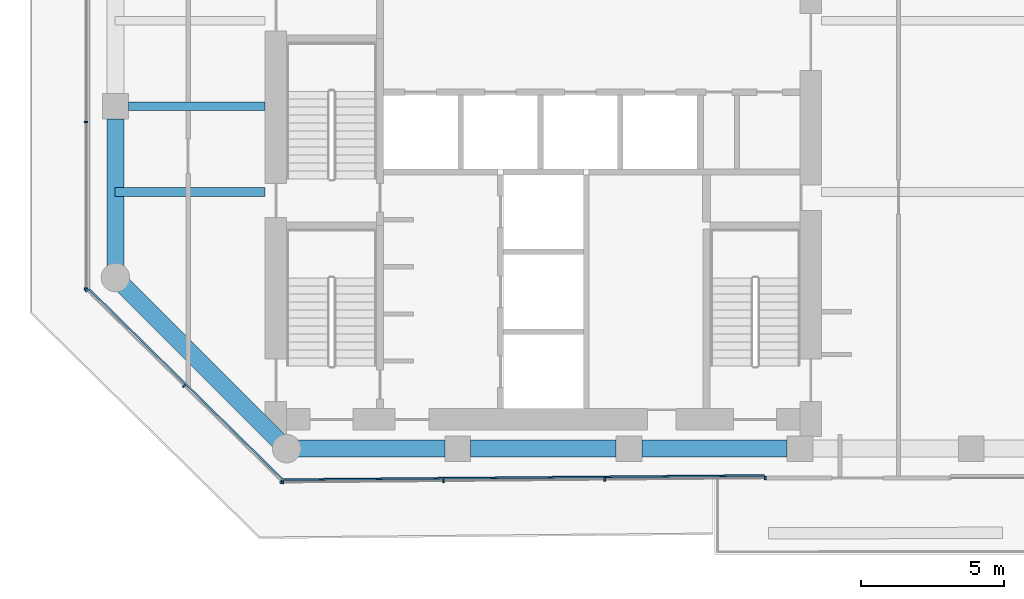
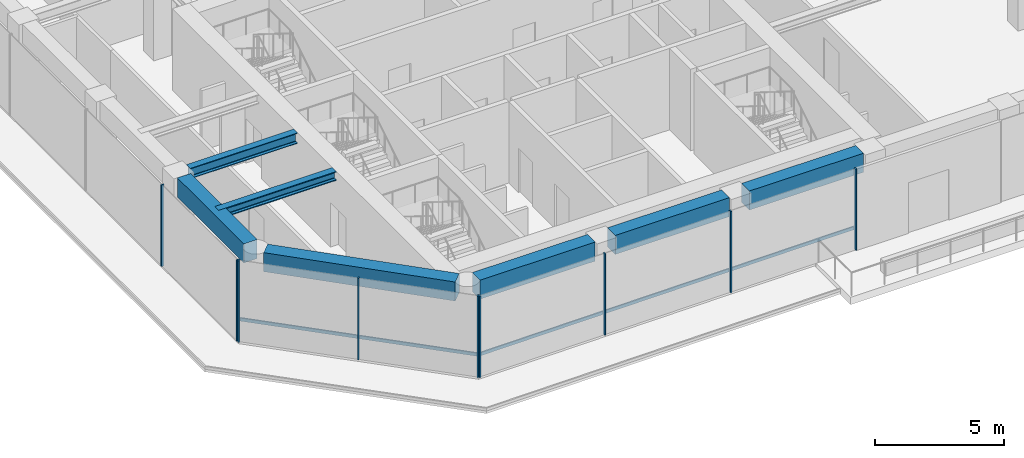
# One storey, part 2 of 21: 11 members, 7 beams, 3 elements without a shape of their own.
"""IFC4 building model written with IfcOpenShell, lengths in metres."""

from ifc_helpers import new_model, si_unit, direction, frame, origin, origin_2d, place, context, subcontext, project, spatial, rectangle, i_section, extrude, material, layer, layer_set, material_profile, profile_set, type_object, element, aggregate, save


model = new_model("IFC4")

# Units and contexts
model_context = context("Model", 3, precision=1e-05, world=origin(), true_north=direction((0.0, 1.0)))
body_context = subcontext(model_context, "Body", "Model", "MODEL_VIEW")
ifc_project = project(units=[si_unit("LENGTHUNIT", "METRE"), si_unit("AREAUNIT", "SQUARE_METRE"), si_unit("VOLUMEUNIT", "CUBIC_METRE"), si_unit("PLANEANGLEUNIT", "RADIAN"), si_unit("MASSUNIT", "GRAM", prefix="KILO")], contexts=[model_context])

# Site, building, storey
site_placement = place(None, origin())
site = spatial("IfcSite", under=ifc_project, at=site_placement, CompositionType="ELEMENT")
building_placement = place(site_placement, origin())
building = spatial("IfcBuilding", under=site, at=building_placement, Name="Welwitschia Terrace Campus", CompositionType="ELEMENT")
storey_placement = place(building_placement, frame((0.0, 0.0, 108.800048828125)))
storey = spatial("IfcBuildingStorey", under=building, at=storey_placement, Name="L24", CompositionType="ELEMENT", Elevation=108.800048828125)

# Beam
ifc_material_1 = material(Name="Steel S355", Category="steel")
ifc_material_profile_1 = material_profile(ifc_material_1, i_section(OverallWidth=0.306884765625, OverallDepth=0.431884765625, WebThickness=0.02099609375, FlangeThickness=0.0400390625, FilletRadius=0.027099609375, at=origin_2d()))
ifc_profile_set_1 = profile_set([ifc_material_profile_1], Name="Steel S355")
beam_type_1 = type_object("IfcBeamType", Name="Interior girder HE 400 M", PredefinedType="BEAM", material=ifc_profile_set_1)
beam_1_placement = place(storey_placement, frame((-0.010009765625, 13.0, 3.634033203125), z_axis=(1.0, 0.0, 0.0), x_axis=(0.0, 1.0, 0.0)))
element("IfcBeam", 1, at=beam_1_placement, inside=storey, type_object=beam_type_1, Name="Girder GB3", PredefinedType="BEAM", context=body_context, shape_type="SweptSolid", body=[
    extrude(i_section(OverallWidth=0.306884765625, OverallDepth=0.431884765625, WebThickness=0.02099609375, FlangeThickness=0.0400390625, FilletRadius=0.027099609375, at=origin_2d()), origin(), (0.0, 0.0, 1.0), 5.259033203125),
])

# Curtain wall, members
ifc_material_2 = material(Name="Bronze anodised aluminium", Category="aluminium")
ifc_layer = layer(ifc_material_2, 0.1201171875)
ifc_layer_set = layer_set([ifc_layer], Name="Bronze anodised aluminium")
curtain_wall_type = type_object("IfcCurtainWallType", Name="Curtain wall CW2 tower 6000", PredefinedType="NOTDEFINED", material=ifc_layer_set)
curtain_wall_1_placement = place(storey_placement, origin())
curtain_wall_1 = element("IfcCurtainWall", 2, at=curtain_wall_1_placement, inside=storey, type_object=curtain_wall_type, Name="CW L24.1.0", PredefinedType="NOTDEFINED")
ifc_material_3 = material(Name="Bronze anodised aluminium", Category="aluminium")
ifc_material_profile_2 = material_profile(ifc_material_3, rectangle(XDim=0.1201171875, YDim=0.06005859375, at=origin_2d()))
ifc_profile_set_2 = profile_set([ifc_material_profile_2], Name="Bronze anodised aluminium")
member_type_1 = type_object("IfcMemberType", Name="Mullion 60x120", PredefinedType="MULLION", material=ifc_profile_set_2)
member_1_placement = place(storey_placement, frame((-1.030029296875, 15.448974609375, 0.0), z_axis=(0.0, 0.0, 1.0), x_axis=(1.0, 0.0, 0.0)))
member_1 = element("IfcMember", 3, at=member_1_placement, type_object=member_type_1, Name="Mullion L24.1.0.3", PredefinedType="MULLION", context=body_context, shape_type="SweptSolid", body=[
    extrude(rectangle(XDim=0.1201171875, YDim=0.06005859375, at=origin_2d()), origin(), (0.0, 0.0, 1.0), 3.849853515625),
])
member_2_placement = place(storey_placement, frame((-1.030029296875, 9.603271484375, 0.0), z_axis=(0.0, 0.0, 1.0), x_axis=(1.0, 0.0, 0.0)))
member_2 = element("IfcMember", 4, at=member_2_placement, type_object=member_type_1, Name="Mullion L24.1.0.4", PredefinedType="MULLION", context=body_context, shape_type="SweptSolid", body=[
    extrude(rectangle(XDim=0.1201171875, YDim=0.06005859375, at=origin_2d()), origin(), (0.0, 0.0, 1.0), 3.849853515625),
])
aggregate(curtain_wall_1, [member_1, member_2])

curtain_wall_2_placement = place(storey_placement, origin())
curtain_wall_2 = element("IfcCurtainWall", 5, at=curtain_wall_2_placement, inside=storey, type_object=curtain_wall_type, Name="CW L24.2.0", PredefinedType="NOTDEFINED")
member_3_placement = place(storey_placement, frame((-1.008544921875, 9.55224609375, 0.0), z_axis=(0.0, 0.0, 1.0), x_axis=(0.701042476045, 0.71311951788, 0.0)))
member_3 = element("IfcMember", 6, at=member_3_placement, type_object=member_type_1, Name="Mullion L24.2.0.0", PredefinedType="MULLION", context=body_context, shape_type="SweptSolid", body=[
    extrude(rectangle(XDim=0.1201171875, YDim=0.06005859375, at=origin_2d()), origin(), (0.0, 0.0, 1.0), 3.849853515625),
])
member_4_placement = place(storey_placement, frame((2.40380859375, 6.197509765625, 0.0), z_axis=(0.0, 0.0, 1.0), x_axis=(0.701042476045, 0.71311951788, 0.0)))
member_4 = element("IfcMember", 7, at=member_4_placement, type_object=member_type_1, Name="Mullion L24.2.0.1", PredefinedType="MULLION", context=body_context, shape_type="SweptSolid", body=[
    extrude(rectangle(XDim=0.1201171875, YDim=0.06005859375, at=origin_2d()), origin(), (0.0, 0.0, 1.0), 3.849853515625),
])
member_5_placement = place(storey_placement, frame((5.816162109375, 2.843017578125, 0.0), z_axis=(0.0, 0.0, 1.0), x_axis=(0.701042476045, 0.71311951788, 0.0)))
member_5 = element("IfcMember", 8, at=member_5_placement, type_object=member_type_1, Name="Mullion L24.2.0.2", PredefinedType="MULLION", context=body_context, shape_type="SweptSolid", body=[
    extrude(rectangle(XDim=0.1201171875, YDim=0.06005859375, at=origin_2d()), origin(), (0.0, 0.0, 1.0), 3.849853515625),
])

curtain_wall_3_placement = place(storey_placement, origin())
curtain_wall_3 = element("IfcCurtainWall", 9, at=curtain_wall_3_placement, inside=storey, type_object=curtain_wall_type, Name="CW L24.3.0", PredefinedType="NOTDEFINED")
member_6_placement = place(storey_placement, frame((5.86767578125, 2.822021484375, 0.0), z_axis=(0.0, 0.0, 1.0), x_axis=(-0.008726535498, 0.999961923064, 0.0)))
member_6 = element("IfcMember", 10, at=member_6_placement, type_object=member_type_1, Name="Mullion L24.3.0.0", PredefinedType="MULLION", context=body_context, shape_type="SweptSolid", body=[
    extrude(rectangle(XDim=0.1201171875, YDim=0.06005859375, at=origin_2d()), origin(), (0.0, 0.0, 1.0), 3.849853515625),
])
member_7_placement = place(storey_placement, frame((11.495361328125, 2.871337890625, 0.0), z_axis=(0.0, 0.0, 1.0), x_axis=(-0.008726535498, 0.999961923064, 0.0)))
member_7 = element("IfcMember", 11, at=member_7_placement, type_object=member_type_1, Name="Mullion L24.3.0.1", PredefinedType="MULLION", context=body_context, shape_type="SweptSolid", body=[
    extrude(rectangle(XDim=0.1201171875, YDim=0.06005859375, at=origin_2d()), origin(), (0.0, 0.0, 1.0), 3.849853515625),
])
member_8_placement = place(storey_placement, frame((17.153076171875, 2.920654296875, 0.0), z_axis=(0.0, 0.0, 1.0), x_axis=(-0.008726535498, 0.999961923064, 0.0)))
member_8 = element("IfcMember", 12, at=member_8_placement, type_object=member_type_1, Name="Mullion L24.3.0.2", PredefinedType="MULLION", context=body_context, shape_type="SweptSolid", body=[
    extrude(rectangle(XDim=0.1201171875, YDim=0.06005859375, at=origin_2d()), origin(), (0.0, 0.0, 1.0), 3.849853515625),
])
member_9_placement = place(storey_placement, frame((22.78076171875, 2.9697265625, 0.0), z_axis=(0.0, 0.0, 1.0), x_axis=(-0.008726535498, 0.999961923064, 0.0)))
member_9 = element("IfcMember", 13, at=member_9_placement, type_object=member_type_1, Name="Mullion L24.3.0.3", PredefinedType="MULLION", context=body_context, shape_type="SweptSolid", body=[
    extrude(rectangle(XDim=0.1201171875, YDim=0.06005859375, at=origin_2d()), origin(), (0.0, 0.0, 1.0), 3.849853515625),
])

# Beams
ifc_material_4 = material(Name="Steel S355", Category="steel")
ifc_material_profile_3 = material_profile(ifc_material_4, i_section(OverallWidth=0.300048828125, OverallDepth=0.5, WebThickness=0.014404296875, FlangeThickness=0.028076171875, FilletRadius=0.027099609375, at=origin_2d()))
ifc_profile_set_3 = profile_set([ifc_material_profile_3], Name="Steel S355")
beam_type_2 = type_object("IfcBeamType", Name="Primary beam HE 500 B", PredefinedType="BEAM", material=ifc_profile_set_3)
beam_2_placement = place(storey_placement, frame((0.450439453125, 16.0, 3.599853515625), z_axis=(1.0, 0.0, 0.0), x_axis=(0.0, 1.0, 0.0)))
element("IfcBeam", 14, at=beam_2_placement, inside=storey, type_object=beam_type_2, Name="Primary beam PB3", PredefinedType="BEAM", context=body_context, shape_type="SweptSolid", body=[
    extrude(i_section(OverallWidth=0.300048828125, OverallDepth=0.5, WebThickness=0.014404296875, FlangeThickness=0.028076171875, FilletRadius=0.027099609375, at=origin_2d()), origin(), (0.0, 0.0, 1.0), 4.799560546875),
])
ifc_material_5 = material(Name="Concrete C60/75", Category="concrete")
ifc_material_profile_4 = material_profile(ifc_material_5, rectangle(XDim=0.60009765625, YDim=0.89990234375, at=origin_2d()))
ifc_profile_set_4 = profile_set([ifc_material_profile_4], Name="Concrete C60/75")
beam_type_3 = type_object("IfcBeamType", Name="Ring spandrel 600x900", PredefinedType="SPANDREL", material=ifc_profile_set_4)
beam_3_placement = place(storey_placement, frame((0.283203125, 9.716796875, 3.39990234375), z_axis=(0.707106781187, -0.707106781187, 0.0), x_axis=(0.707106781187, 0.707106781187, 0.0)))
element("IfcBeam", 15, at=beam_3_placement, inside=storey, type_object=beam_type_3, Name="Spandrel SP2", PredefinedType="SPANDREL", context=body_context, shape_type="SweptSolid", body=[
    extrude(rectangle(XDim=0.60009765625, YDim=0.89990234375, at=origin_2d()), origin(), (0.0, 0.0, 1.0), 7.684326171875),
])
beam_4_placement = place(storey_placement, frame((6.400390625, 4.0, 3.39990234375), z_axis=(1.0, 0.0, 0.0), x_axis=(0.0, 1.0, 0.0)))
element("IfcBeam", 16, at=beam_4_placement, inside=storey, type_object=beam_type_3, Name="Spandrel SP2", PredefinedType="SPANDREL", context=body_context, shape_type="SweptSolid", body=[
    extrude(rectangle(XDim=0.60009765625, YDim=0.89990234375, at=origin_2d()), origin(), (0.0, 0.0, 1.0), 5.149169921875),
])
for number, where, z_axis, x_axis, name in (
    (17, (12.450439453125, 4.0, 3.39990234375), (1.0, 0.0, 0.0), (0.0, 1.0, 0.0), "Spandrel SP2"),
    (18, (18.450439453125, 4.0, 3.39990234375), (1.0, 0.0, 0.0), (0.0, 1.0, 0.0), "Spandrel SP2"),
):
    element("IfcBeam", number, at=place(storey_placement, frame(where, z_axis=z_axis, x_axis=x_axis)), inside=storey, type_object=beam_type_3, Name=name, PredefinedType="SPANDREL", context=body_context, shape_type="SweptSolid", body=[
        extrude(rectangle(XDim=0.60009765625, YDim=0.89990234375, at=origin_2d()), origin(), (0.0, 0.0, 1.0), 5.09912109375),
    ])
beam_5_placement = place(storey_placement, frame((0.0, 15.549560546875, 3.39990234375), z_axis=(0.0, -1.0, 0.0), x_axis=(1.0, 0.0, 0.0)))
element("IfcBeam", 19, at=beam_5_placement, inside=storey, type_object=beam_type_3, Name="Spandrel SP2", PredefinedType="SPANDREL", context=body_context, shape_type="SweptSolid", body=[
    extrude(rectangle(XDim=0.60009765625, YDim=0.89990234375, at=origin_2d()), origin(), (0.0, 0.0, 1.0), 5.149169921875),
])

# Member
ifc_material_6 = material(Name="Bronze anodised aluminium", Category="aluminium")
ifc_material_profile_5 = material_profile(ifc_material_6, rectangle(XDim=0.06005859375, YDim=0.14990234375, at=origin_2d()))
ifc_profile_set_5 = profile_set([ifc_material_profile_5], Name="Bronze anodised aluminium")
member_type_2 = type_object("IfcMemberType", Name="Transom 60x150", PredefinedType="USERDEFINED", material=ifc_profile_set_5)
member_10_placement = place(storey_placement, frame((-0.924072265625, 9.59521484375, 1.0), z_axis=(0.713126557237, -0.701035315347, 0.0), x_axis=(0.701035315347, 0.713126557237, 0.0)))
member_10 = element("IfcMember", 20, at=member_10_placement, type_object=member_type_2, Name="Transom L24.2.0", ObjectType="TRANSOM", PredefinedType="USERDEFINED", context=body_context, shape_type="SweptSolid", body=[
    extrude(rectangle(XDim=0.06005859375, YDim=0.14990234375, at=origin_2d()), origin(), (0.0, 0.0, 1.0), 9.51025390625),
])

aggregate(curtain_wall_2, [member_3, member_4, member_5, member_10])

member_11_placement = place(storey_placement, frame((5.89697265625, 2.912353515625, 1.0), z_axis=(0.999961849167, 0.008734999204, 0.0), x_axis=(-0.008734999204, 0.999961849167, 0.0)))
member_11 = element("IfcMember", 21, at=member_11_placement, type_object=member_type_2, Name="Transom L24.3.0", ObjectType="TRANSOM", PredefinedType="USERDEFINED", context=body_context, shape_type="SweptSolid", body=[
    extrude(rectangle(XDim=0.06005859375, YDim=0.14990234375, at=origin_2d()), origin(), (0.0, 0.0, 1.0), 16.853759765625),
])

aggregate(curtain_wall_3, [member_6, member_7, member_8, member_9, member_11])

save(model, "model.ifc")
